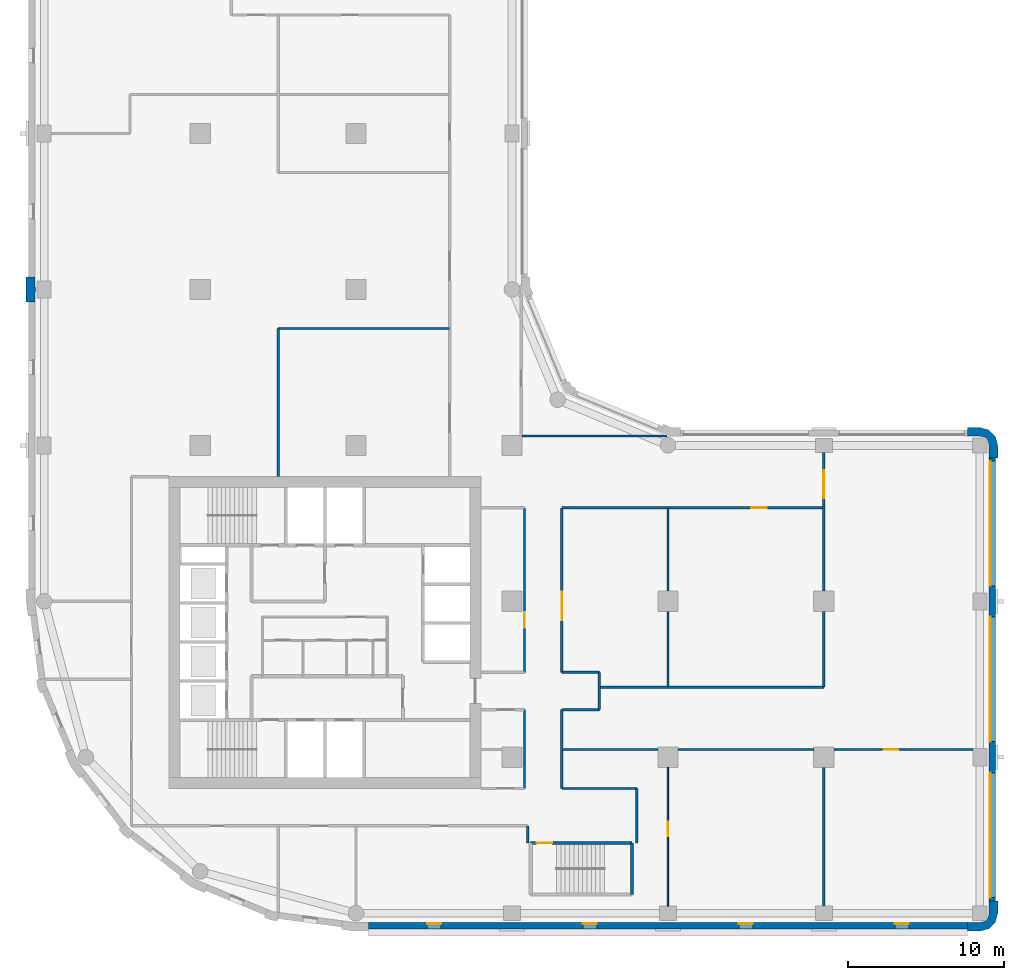
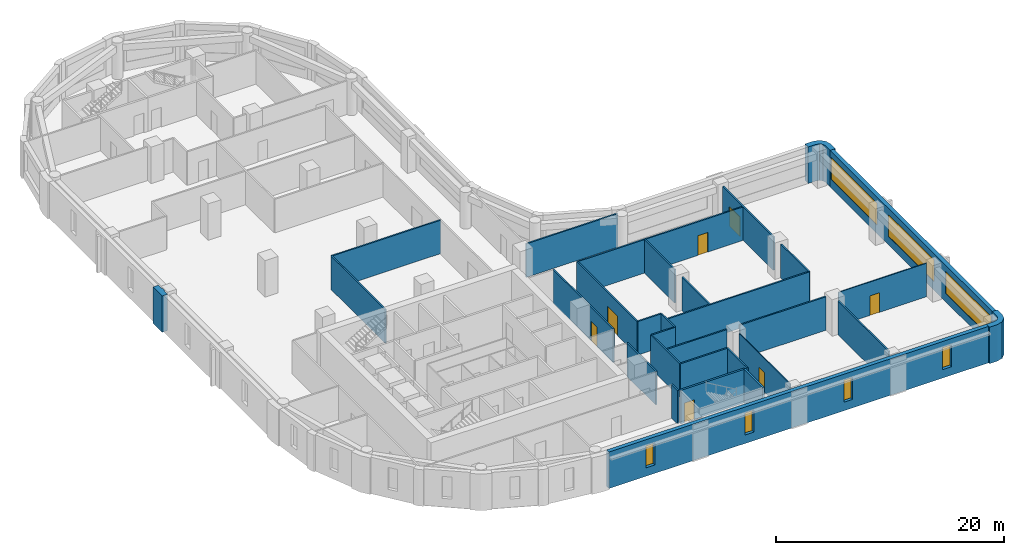
# One storey, part 4 of 9: 31 walls, 7 doors, 7 windows, 14 openings.
"""IFC4 building model written with IfcOpenShell, lengths in metres."""

from ifc_helpers import new_model, si_unit, direction, frame, frame_2d, origin, place, context, subcontext, project, spatial, polyline, rectangle, outline, extrude, material, layer, layer_set, type_object, element, fill, save


model = new_model("IFC4")

# Units and contexts
model_context = context("Model", 3, precision=1e-05, world=origin(), true_north=direction((0.0, 1.0)))
body_context = subcontext(model_context, "Body", "Model", "MODEL_VIEW")
ifc_project = project(units=[si_unit("LENGTHUNIT", "METRE"), si_unit("AREAUNIT", "SQUARE_METRE"), si_unit("VOLUMEUNIT", "CUBIC_METRE"), si_unit("PLANEANGLEUNIT", "RADIAN"), si_unit("MASSUNIT", "GRAM", prefix="KILO")], contexts=[model_context])

# Site, building, storey
site_placement = place(None, origin())
site = spatial("IfcSite", under=ifc_project, at=site_placement, CompositionType="ELEMENT")
building_placement = place(site_placement, origin())
building = spatial("IfcBuilding", under=site, at=building_placement, Name="Qaws Garden Tower", CompositionType="ELEMENT")
storey_placement = place(building_placement, frame((0.0, 0.0, 198.0)))
storey = spatial("IfcBuildingStorey", under=building, at=storey_placement, Name="L48", CompositionType="ELEMENT", Elevation=198.0)

# Walls
ifc_material_1 = material(Name="Clay facing brick masonry", Category="masonry")
ifc_layer_1 = layer(ifc_material_1, 0.550048828125)
ifc_layer_set_1 = layer_set([ifc_layer_1], Name="Clay facing brick masonry")
wall_type_1 = type_object("IfcWallType", Name="Brick corner pier 550 x 2400", PredefinedType="SOLIDWALL", material=ifc_layer_set_1)
placement = place(storey_placement, origin())
element("IfcWall", 1, at=placement, inside=storey, type_object=wall_type_1, Name="E-L48-pier-04", PredefinedType="SOLIDWALL", context=body_context, shape_type="SweptSolid", body=[
    extrude(outline(polyline([(59.199951171875, -1.0), (59.199951171875, -1.14990234375), (60.0, -1.14990234375), (60.574951171875, -0.995849609375), (60.995849609375, -0.574951171875), (61.14990234375, 0.0), (61.14990234375, 0.800048828125), (61.0, 0.800048828125), (60.60009765625, 0.800048828125), (60.60009765625, 0.0), (60.51953125, -0.300048828125), (60.300048828125, -0.51953125), (60.0, -0.60009765625), (59.199951171875, -0.60009765625), (59.199951171875, -1.0)])), origin(), (0.0, 0.0, 1.0), 3.89990234375),
])
element("IfcWall", 2, at=placement, inside=storey, type_object=wall_type_1, Name="E-L48-pier-07", PredefinedType="SOLIDWALL", context=body_context, shape_type="SweptSolid", body=[
    extrude(outline(polyline([(61.0, 29.199951171875), (61.14990234375, 29.199951171875), (61.14990234375, 30.0), (60.995849609375, 30.574951171875), (60.574951171875, 30.995849609375), (60.0, 31.14990234375), (59.199951171875, 31.14990234375), (59.199951171875, 31.0), (59.199951171875, 30.60009765625), (60.0, 30.60009765625), (60.300048828125, 30.51953125), (60.51953125, 30.300048828125), (60.60009765625, 30.0), (60.60009765625, 29.199951171875), (61.0, 29.199951171875)])), origin(), (0.0, 0.0, 1.0), 3.89990234375),
])

# Wall, openings, windows
ifc_material_2 = material(Name="Clay facing brick masonry", Category="masonry")
ifc_layer_2 = layer(ifc_material_2, 0.39990234375)
ifc_layer_set_2 = layer_set([ifc_layer_2], Name="Clay facing brick masonry")
wall_type_2 = type_object("IfcWallType", Name="Brick infill wall 400", PredefinedType="SOLIDWALL", material=ifc_layer_set_2)
wall_3_placement = place(storey_placement, frame((20.800048828125, -0.800048828125, 0.0), z_axis=(0.0, 0.0, 1.0), x_axis=(1.0, 0.0, 0.0)))
wall_3 = element("IfcWall", 3, at=wall_3_placement, inside=storey, type_object=wall_type_2, Name="E-L48-infill-00", PredefinedType="SOLIDWALL", context=body_context, shape_type="SweptSolid", body=[
    extrude(rectangle(XDim=38.39990234375, YDim=0.39990234375, at=frame_2d((19.199951171875, 0.0))), origin(), (0.0, 0.0, 1.0), 3.89990234375),
])
opening_1_placement = place(wall_3_placement, frame((3.75, 0.0, 0.89990234375)))
opening_1 = element("IfcOpeningElement", 4, at=opening_1_placement, cuts=wall_3, Name="Opening W09", PredefinedType="OPENING", context=body_context, shape_type="SweptSolid", body=[
    extrude(rectangle(XDim=0.89990234375, YDim=2.35009765625, at=frame_2d((0.449951171875, 1.175048828125))), frame((0.0, 0.2099609375, 0.0), z_axis=(0.0, -1.0, 0.0), x_axis=(1.0, 0.0, 0.0)), (0.0, 0.0, 1.0), 0.419921875),
])
opening_2_placement = place(wall_3_placement, frame((13.75, 0.0, 0.89990234375)))
opening_2 = element("IfcOpeningElement", 5, at=opening_2_placement, cuts=wall_3, Name="Opening W09", PredefinedType="OPENING", context=body_context, shape_type="SweptSolid", body=[
    extrude(rectangle(XDim=0.89990234375, YDim=2.35009765625, at=frame_2d((0.449951171875, 1.175048828125))), frame((0.0, 0.2099609375, 0.0), z_axis=(0.0, -1.0, 0.0), x_axis=(1.0, 0.0, 0.0)), (0.0, 0.0, 1.0), 0.419921875),
])
opening_3_placement = place(wall_3_placement, frame((23.75, 0.0, 0.89990234375)))
opening_3 = element("IfcOpeningElement", 6, at=opening_3_placement, cuts=wall_3, Name="Opening W09", PredefinedType="OPENING", context=body_context, shape_type="SweptSolid", body=[
    extrude(rectangle(XDim=0.89990234375, YDim=2.35009765625, at=frame_2d((0.449951171875, 1.175048828125))), frame((0.0, 0.2099609375, 0.0), z_axis=(0.0, -1.0, 0.0), x_axis=(1.0, 0.0, 0.0)), (0.0, 0.0, 1.0), 0.419921875),
])
opening_4_placement = place(wall_3_placement, frame((33.75, 0.0, 0.89990234375)))
opening_4 = element("IfcOpeningElement", 7, at=opening_4_placement, cuts=wall_3, Name="Opening W09", PredefinedType="OPENING", context=body_context, shape_type="SweptSolid", body=[
    extrude(rectangle(XDim=0.89990234375, YDim=2.35009765625, at=frame_2d((0.449951171875, 1.175048828125))), frame((0.0, 0.2099609375, 0.0), z_axis=(0.0, -1.0, 0.0), x_axis=(1.0, 0.0, 0.0)), (0.0, 0.0, 1.0), 0.419921875),
])
ifc_material_3 = material(Name="Aluminium framed window, clear glazing", Category="aluminium")
window_type_1 = type_object("IfcWindowType", Name="Slit window 900 x 2350", PartitioningType="SINGLE_PANEL", PredefinedType="WINDOW", material=ifc_material_3)
window_1_placement = place(opening_1_placement, origin())
window_1 = element("IfcWindow", 8, at=window_1_placement, inside=storey, type_object=window_type_1, Name="E-L48-window-00-0", OverallHeight=2.35009765625, OverallWidth=0.89990234375, PartitioningType="SINGLE_PANEL", PredefinedType="WINDOW", context=body_context, shape_type="SweptSolid", body=[
    extrude(rectangle(XDim=0.89990234375, YDim=2.35009765625, at=frame_2d((0.449951171875, 1.175048828125))), frame((0.0, 0.159912109375, 0.0), z_axis=(0.0, -1.0, 0.0), x_axis=(1.0, 0.0, 0.0)), (0.0, 0.0, 1.0), 0.06005859375),
])
fill(opening_1, window_1)
window_2_placement = place(opening_2_placement, origin())
window_2 = element("IfcWindow", 9, at=window_2_placement, inside=storey, type_object=window_type_1, Name="E-L48-window-01-0", OverallHeight=2.35009765625, OverallWidth=0.89990234375, PartitioningType="SINGLE_PANEL", PredefinedType="WINDOW", context=body_context, shape_type="SweptSolid", body=[
    extrude(rectangle(XDim=0.89990234375, YDim=2.35009765625, at=frame_2d((0.449951171875, 1.175048828125))), frame((0.0, 0.159912109375, 0.0), z_axis=(0.0, -1.0, 0.0), x_axis=(1.0, 0.0, 0.0)), (0.0, 0.0, 1.0), 0.06005859375),
])
fill(opening_2, window_2)
window_3_placement = place(opening_3_placement, origin())
window_3 = element("IfcWindow", 10, at=window_3_placement, inside=storey, type_object=window_type_1, Name="E-L48-window-02-0", OverallHeight=2.35009765625, OverallWidth=0.89990234375, PartitioningType="SINGLE_PANEL", PredefinedType="WINDOW", context=body_context, shape_type="SweptSolid", body=[
    extrude(rectangle(XDim=0.89990234375, YDim=2.35009765625, at=frame_2d((0.449951171875, 1.175048828125))), frame((0.0, 0.159912109375, 0.0), z_axis=(0.0, -1.0, 0.0), x_axis=(1.0, 0.0, 0.0)), (0.0, 0.0, 1.0), 0.06005859375),
])
fill(opening_3, window_3)
window_4_placement = place(opening_4_placement, origin())
window_4 = element("IfcWindow", 11, at=window_4_placement, inside=storey, type_object=window_type_1, Name="E-L48-window-03-0", OverallHeight=2.35009765625, OverallWidth=0.89990234375, PartitioningType="SINGLE_PANEL", PredefinedType="WINDOW", context=body_context, shape_type="SweptSolid", body=[
    extrude(rectangle(XDim=0.89990234375, YDim=2.35009765625, at=frame_2d((0.449951171875, 1.175048828125))), frame((0.0, 0.159912109375, 0.0), z_axis=(0.0, -1.0, 0.0), x_axis=(1.0, 0.0, 0.0)), (0.0, 0.0, 1.0), 0.06005859375),
])
fill(opening_4, window_4)

wall_4_placement = place(storey_placement, frame((60.800048828125, 0.800048828125, 0.0), z_axis=(0.0, 0.0, 1.0), x_axis=(0.0, 1.0, 0.0)))
wall_4 = element("IfcWall", 12, at=wall_4_placement, inside=storey, type_object=wall_type_2, Name="E-L48-infill-04", PredefinedType="SOLIDWALL", context=body_context, shape_type="SweptSolid", body=[
    extrude(rectangle(XDim=28.39990234375, YDim=0.39990234375, at=frame_2d((14.199951171875, 0.0))), origin(), (0.0, 0.0, 1.0), 3.89990234375),
])
opening_5_placement = place(wall_4_placement, frame((0.199951171875, 0.0, 0.89990234375)))
opening_5 = element("IfcOpeningElement", 13, at=opening_5_placement, cuts=wall_4, Name="Opening W01", PredefinedType="OPENING", context=body_context, shape_type="SweptSolid", body=[
    extrude(rectangle(XDim=8.0, YDim=2.35009765625, at=frame_2d((4.0, 1.175048828125))), frame((0.0, 0.2099609375, 0.0), z_axis=(0.0, -1.0, 0.0), x_axis=(1.0, 0.0, 0.0)), (0.0, 0.0, 1.0), 0.419921875),
])
opening_6_placement = place(wall_4_placement, frame((10.199951171875, 0.0, 0.89990234375)))
opening_6 = element("IfcOpeningElement", 14, at=opening_6_placement, cuts=wall_4, Name="Opening W01", PredefinedType="OPENING", context=body_context, shape_type="SweptSolid", body=[
    extrude(rectangle(XDim=8.0, YDim=2.35009765625, at=frame_2d((4.0, 1.175048828125))), frame((0.0, 0.2099609375, 0.0), z_axis=(0.0, -1.0, 0.0), x_axis=(1.0, 0.0, 0.0)), (0.0, 0.0, 1.0), 0.419921875),
])
opening_7_placement = place(wall_4_placement, frame((20.199951171875, 0.0, 0.89990234375)))
opening_7 = element("IfcOpeningElement", 15, at=opening_7_placement, cuts=wall_4, Name="Opening W01", PredefinedType="OPENING", context=body_context, shape_type="SweptSolid", body=[
    extrude(rectangle(XDim=8.0, YDim=2.35009765625, at=frame_2d((4.0, 1.175048828125))), frame((0.0, 0.2099609375, 0.0), z_axis=(0.0, -1.0, 0.0), x_axis=(1.0, 0.0, 0.0)), (0.0, 0.0, 1.0), 0.419921875),
])
ifc_material_4 = material(Name="Aluminium framed window, clear glazing", Category="aluminium")
window_type_2 = type_object("IfcWindowType", Name="Ribbon window 8000 x 2350", PartitioningType="DOUBLE_PANEL_VERTICAL", PredefinedType="WINDOW", material=ifc_material_4)
window_5_placement = place(opening_5_placement, origin())
window_5 = element("IfcWindow", 16, at=window_5_placement, inside=storey, type_object=window_type_2, Name="E-L48-window-04-0", OverallHeight=2.35009765625, OverallWidth=8.0, PartitioningType="SINGLE_PANEL", PredefinedType="WINDOW", context=body_context, shape_type="SweptSolid", body=[
    extrude(rectangle(XDim=8.0, YDim=2.35009765625, at=frame_2d((4.0, 1.175048828125))), frame((0.0, 0.159912109375, 0.0), z_axis=(0.0, -1.0, 0.0), x_axis=(1.0, 0.0, 0.0)), (0.0, 0.0, 1.0), 0.06005859375),
])
fill(opening_5, window_5)
window_6_placement = place(opening_6_placement, origin())
window_6 = element("IfcWindow", 17, at=window_6_placement, inside=storey, type_object=window_type_2, Name="E-L48-window-05-0", OverallHeight=2.35009765625, OverallWidth=8.0, PartitioningType="SINGLE_PANEL", PredefinedType="WINDOW", context=body_context, shape_type="SweptSolid", body=[
    extrude(rectangle(XDim=8.0, YDim=2.35009765625, at=frame_2d((4.0, 1.175048828125))), frame((0.0, 0.159912109375, 0.0), z_axis=(0.0, -1.0, 0.0), x_axis=(1.0, 0.0, 0.0)), (0.0, 0.0, 1.0), 0.06005859375),
])
fill(opening_6, window_6)
window_7_placement = place(opening_7_placement, origin())
window_7 = element("IfcWindow", 18, at=window_7_placement, inside=storey, type_object=window_type_2, Name="E-L48-window-06-0", OverallHeight=2.35009765625, OverallWidth=8.0, PartitioningType="SINGLE_PANEL", PredefinedType="WINDOW", context=body_context, shape_type="SweptSolid", body=[
    extrude(rectangle(XDim=8.0, YDim=2.35009765625, at=frame_2d((4.0, 1.175048828125))), frame((0.0, 0.159912109375, 0.0), z_axis=(0.0, -1.0, 0.0), x_axis=(1.0, 0.0, 0.0)), (0.0, 0.0, 1.0), 0.06005859375),
])
fill(opening_7, window_7)

# Wall
ifc_material_5 = material(Name="Clay facing brick masonry", Category="masonry")
ifc_layer_3 = layer(ifc_material_5, 0.550048828125)
ifc_layer_set_3 = layer_set([ifc_layer_3], Name="Clay facing brick masonry")
wall_type_3 = type_object("IfcWallType", Name="Brick pier 550 x 1600", PredefinedType="SOLIDWALL", material=ifc_layer_set_3)
element("IfcWall", 19, at=placement, inside=storey, type_object=wall_type_3, Name="E-L48-pier-23", PredefinedType="SOLIDWALL", context=body_context, shape_type="SweptSolid", body=[
    extrude(outline(polyline([(-0.60009765625, 39.199951171875), (-0.60009765625, 39.85009765625), (-0.550048828125, 39.85009765625), (-0.550048828125, 40.14990234375), (-0.60009765625, 40.14990234375), (-0.60009765625, 40.800048828125), (-1.0, 40.800048828125), (-1.14990234375, 40.800048828125), (-1.14990234375, 40.0), (-1.14990234375, 39.199951171875), (-1.0, 39.199951171875), (-0.60009765625, 39.199951171875)])), origin(), (0.0, 0.0, 1.0), 3.89990234375),
])

# Wall, opening, door
ifc_material_6 = material(Name="Concrete C70", Category="concrete")
ifc_layer_4 = layer(ifc_material_6, 0.199951171875)
ifc_layer_set_4 = layer_set([ifc_layer_4], Name="Concrete C70")
wall_type_4 = type_object("IfcWallType", Name="Core shaft wall 200 C70", PredefinedType="SHEAR", material=ifc_layer_set_4)
wall_6_placement = place(storey_placement, frame((31.199951171875, 4.5, 0.0), z_axis=(0.0, 0.0, 1.0), x_axis=(1.0, 0.0, 0.0)))
wall_6 = element("IfcWall", 20, at=wall_6_placement, inside=storey, type_object=wall_type_4, Name="Shaft wall", PredefinedType="SHEAR", context=body_context, shape_type="SweptSolid", body=[
    extrude(rectangle(XDim=6.5, YDim=0.199951171875, at=frame_2d((3.25, 0.0))), origin(), (0.0, 0.0, 1.0), 3.580078125),
])
opening_8_placement = place(wall_6_placement, frame((0.375, 0.0, 0.0)))
opening_8 = element("IfcOpeningElement", 21, at=opening_8_placement, cuts=wall_6, Name="Opening SD12", PredefinedType="OPENING", context=body_context, shape_type="SweptSolid", body=[
    extrude(rectangle(XDim=1.0, YDim=2.10009765625, at=frame_2d((0.5, 1.050048828125))), frame((0.0, 0.10986328125, 0.0), z_axis=(0.0, -1.0, 0.0), x_axis=(1.0, 0.0, 0.0)), (0.0, 0.0, 1.0), 0.219970703125),
])
ifc_material_7 = material(Name="Steel S235", Category="steel")
door_type_1 = type_object("IfcDoorType", Name="Stair door 1000x2100", OperationType="SINGLE_SWING_RIGHT", PredefinedType="DOOR", material=ifc_material_7)
door_1_placement = place(opening_8_placement, frame((1.0, 0.0, 0.0), z_axis=(0.0, 0.0, 1.0), x_axis=(-1.0, 0.0, 0.0)))
door_1 = element("IfcDoor", 22, at=door_1_placement, inside=storey, type_object=door_type_1, Name="Stair 5 door", OperationType="SINGLE_SWING_RIGHT", OverallHeight=2.10009765625, OverallWidth=1.0, PredefinedType="DOOR", context=body_context, shape_type="SweptSolid", body=[
    extrude(rectangle(XDim=1.0, YDim=2.10009765625, at=frame_2d((0.5, 1.050048828125))), frame((0.0, 0.02490234375, 0.0), z_axis=(0.0, -1.0, 0.0), x_axis=(1.0, 0.0, 0.0)), (0.0, 0.0, 1.0), 0.050048828125),
])
fill(opening_8, door_1)

# Wall
wall_7_placement = place(storey_placement, frame((37.699951171875, 1.199951171875, 0.0), z_axis=(0.0, 0.0, 1.0), x_axis=(0.0, 1.0, 0.0)))
element("IfcWall", 23, at=wall_7_placement, inside=storey, type_object=wall_type_4, Name="Shaft wall", PredefinedType="SHEAR", context=body_context, shape_type="SweptSolid", body=[
    extrude(rectangle(XDim=3.300048828125, YDim=0.199951171875, at=frame_2d((1.64990234375, 0.0))), origin(), (0.0, 0.0, 1.0), 3.580078125),
])

# Wall, opening, door
ifc_material_8 = material(Name="Gypsum board partition")
ifc_layer_5 = layer(ifc_material_8, 0.10009765625)
ifc_layer_set_5 = layer_set([ifc_layer_5], Name="Gypsum board partition")
wall_type_5 = type_object("IfcWallType", Name="PARTITION 100", PredefinedType="PARTITIONING", material=ifc_layer_set_5)
wall_8_placement = place(storey_placement, frame((40.0, 0.449951171875, 0.0), z_axis=(0.0, 0.0, 1.0), x_axis=(0.0, 1.0, 0.0)))
wall_8 = element("IfcWall", 24, at=wall_8_placement, inside=storey, type_object=wall_type_5, Name="O-L48-wall-001", PredefinedType="PARTITIONING", context=body_context, shape_type="SweptSolid", body=[
    extrude(rectangle(XDim=8.900146484375, YDim=0.10009765625, at=frame_2d((4.4501953125, 0.0))), origin(), (0.0, 0.0, 1.0), 3.580078125),
])
opening_9_placement = place(wall_8_placement, frame((4.47509765625, 0.0, 0.0)))
opening_9 = element("IfcOpeningElement", 25, at=opening_9_placement, cuts=wall_8, Name="Opening B621", PredefinedType="OPENING", context=body_context, shape_type="SweptSolid", body=[
    extrude(rectangle(XDim=0.949951171875, YDim=2.10009765625, at=frame_2d((0.47509765625, 1.050048828125))), frame((0.0, 0.06005859375, 0.0), z_axis=(0.0, -1.0, 0.0), x_axis=(1.0, 0.0, 0.0)), (0.0, 0.0, 1.0), 0.1201171875),
])
ifc_material_9 = material(Name="Timber and glass door leaf", Category="wood")
door_type_2 = type_object("IfcDoorType", Name="GLAZED DOOR 950 X 2100", OperationType="SINGLE_SWING_LEFT", PredefinedType="DOOR", material=ifc_material_9)
door_2_placement = place(opening_9_placement, frame((0.949951171875, 0.0, 0.0), z_axis=(0.0, 0.0, 1.0), x_axis=(-1.0, 0.0, 0.0)))
door_2 = element("IfcDoor", 26, at=door_2_placement, inside=storey, type_object=door_type_2, Name="O-L48-door-021", OperationType="SINGLE_SWING_LEFT", OverallHeight=2.10009765625, OverallWidth=0.949951171875, PredefinedType="DOOR", context=body_context, shape_type="SweptSolid", body=[
    extrude(rectangle(XDim=0.949951171875, YDim=2.10009765625, at=frame_2d((0.47509765625, 1.050048828125))), frame((0.0, 0.02490234375, 0.0), z_axis=(0.0, -1.0, 0.0), x_axis=(1.0, 0.0, 0.0)), (0.0, 0.0, 1.0), 0.050048828125),
])
fill(opening_9, door_2)

wall_9_placement = place(storey_placement, frame((50.64990234375, 10.5, 0.0), z_axis=(0.0, 0.0, 1.0), x_axis=(1.0, 0.0, 0.0)))
wall_9 = element("IfcWall", 27, at=wall_9_placement, inside=storey, type_object=wall_type_5, Name="O-L48-wall-002", PredefinedType="PARTITIONING", context=body_context, shape_type="SweptSolid", body=[
    extrude(rectangle(XDim=8.900146484375, YDim=0.10009765625, at=frame_2d((4.4501953125, 0.0))), origin(), (0.0, 0.0, 1.0), 3.580078125),
])
opening_10_placement = place(wall_9_placement, frame((3.175048828125, 0.0, 0.0)))
opening_10 = element("IfcOpeningElement", 28, at=opening_10_placement, cuts=wall_9, Name="Opening B622", PredefinedType="OPENING", context=body_context, shape_type="SweptSolid", body=[
    extrude(rectangle(XDim=0.949951171875, YDim=2.10009765625, at=frame_2d((0.47509765625, 1.050048828125))), frame((0.0, 0.06005859375, 0.0), z_axis=(0.0, -1.0, 0.0), x_axis=(1.0, 0.0, 0.0)), (0.0, 0.0, 1.0), 0.1201171875),
])
door_3_placement = place(opening_10_placement, frame((0.949951171875, 0.0, 0.0), z_axis=(0.0, 0.0, 1.0), x_axis=(-1.0, 0.0, 0.0)))
door_3 = element("IfcDoor", 29, at=door_3_placement, inside=storey, type_object=door_type_2, Name="O-L48-door-022", OperationType="SINGLE_SWING_RIGHT", OverallHeight=2.10009765625, OverallWidth=0.949951171875, PredefinedType="DOOR", context=body_context, shape_type="SweptSolid", body=[
    extrude(rectangle(XDim=0.949951171875, YDim=2.10009765625, at=frame_2d((0.47509765625, 1.050048828125))), frame((0.0, 0.02490234375, 0.0), z_axis=(0.0, -1.0, 0.0), x_axis=(1.0, 0.0, 0.0)), (0.0, 0.0, 1.0), 0.050048828125),
])
fill(opening_10, door_3)

# Walls
ifc_material_10 = material(Name="Gypsum board partition")
ifc_layer_6 = layer(ifc_material_10, 0.14990234375)
ifc_layer_set_6 = layer_set([ifc_layer_6], Name="Gypsum board partition")
wall_type_6 = type_object("IfcWallType", Name="PARTITION 150 EI 60", PredefinedType="PARTITIONING", material=ifc_layer_set_6)
wall_10_placement = place(storey_placement, frame((15.0, 28.0, 0.0), z_axis=(0.0, 0.0, 1.0), x_axis=(0.0, 1.0, 0.0)))
element("IfcWall", 30, at=wall_10_placement, inside=storey, type_object=wall_type_6, Name="O-L48-wall-008", PredefinedType="PARTITIONING", context=body_context, shape_type="SweptSolid", body=[
    extrude(rectangle(XDim=9.5, YDim=0.14990234375, at=frame_2d((4.75, 0.0))), origin(), (0.0, 0.0, 1.0), 3.580078125),
])
wall_11_placement = place(storey_placement, frame((30.800048828125, 8.0, 0.0), z_axis=(0.0, 0.0, 1.0), x_axis=(0.0, 1.0, 0.0)))
element("IfcWall", 31, at=wall_11_placement, inside=storey, type_object=wall_type_6, Name="O-L48-wall-015", PredefinedType="PARTITIONING", context=body_context, shape_type="SweptSolid", body=[
    extrude(rectangle(XDim=5.050048828125, YDim=0.14990234375, at=frame_2d((2.52490234375, 0.0))), origin(), (0.0, 0.0, 1.0), 3.580078125),
])

# Wall, opening, door
wall_12_placement = place(storey_placement, frame((30.800048828125, 15.449951171875, 0.0), z_axis=(0.0, 0.0, 1.0), x_axis=(0.0, 1.0, 0.0)))
wall_12 = element("IfcWall", 32, at=wall_12_placement, inside=storey, type_object=wall_type_6, Name="O-L48-wall-016", PredefinedType="PARTITIONING", context=body_context, shape_type="SweptSolid", body=[
    extrude(rectangle(XDim=10.550048828125, YDim=0.14990234375, at=frame_2d((5.27490234375, 0.0))), origin(), (0.0, 0.0, 1.0), 3.580078125),
])
opening_11_placement = place(wall_12_placement, frame((2.85009765625, 0.0, 0.0)))
opening_11 = element("IfcOpeningElement", 33, at=opening_11_placement, cuts=wall_12, Name="Opening B616", PredefinedType="OPENING", context=body_context, shape_type="SweptSolid", body=[
    extrude(rectangle(XDim=1.0, YDim=2.10009765625, at=frame_2d((0.5, 1.050048828125))), frame((0.0, 0.0849609375, 0.0), z_axis=(0.0, -1.0, 0.0), x_axis=(1.0, 0.0, 0.0)), (0.0, 0.0, 1.0), 0.169921875),
])
ifc_material_11 = material(Name="Timber door leaf", Category="wood")
door_type_3 = type_object("IfcDoorType", Name="TENANCY ENTRANCE DOOR 1000 X 2100", OperationType="SINGLE_SWING_LEFT", PredefinedType="DOOR", material=ifc_material_11)
door_4_placement = place(opening_11_placement, origin())
door_4 = element("IfcDoor", 34, at=door_4_placement, inside=storey, type_object=door_type_3, Name="O-L48-door-016", OperationType="SINGLE_SWING_RIGHT", OverallHeight=2.10009765625, OverallWidth=1.0, PredefinedType="DOOR", context=body_context, shape_type="SweptSolid", body=[
    extrude(rectangle(XDim=1.0, YDim=2.10009765625, at=frame_2d((0.5, 1.050048828125))), frame((0.0, 0.02490234375, 0.0), z_axis=(0.0, -1.0, 0.0), x_axis=(1.0, 0.0, 0.0)), (0.0, 0.0, 1.0), 0.050048828125),
])
fill(opening_11, door_4)

# Walls
wall_13_placement = place(storey_placement, frame((31.0, 4.5, 0.0), z_axis=(0.0, 0.0, 1.0), x_axis=(0.0, 1.0, 0.0)))
element("IfcWall", 35, at=wall_13_placement, inside=storey, type_object=wall_type_6, Name="O-L48-wall-017", PredefinedType="PARTITIONING", context=body_context, shape_type="SweptSolid", body=[
    extrude(rectangle(XDim=1.10009765625, YDim=0.14990234375, at=frame_2d((0.550048828125, 0.0))), origin(), (0.0, 0.0, 1.0), 3.580078125),
])
wall_14_placement = place(storey_placement, frame((33.199951171875, 8.0, 0.0), z_axis=(0.0, 0.0, 1.0), x_axis=(0.0, 1.0, 0.0)))
element("IfcWall", 36, at=wall_14_placement, inside=storey, type_object=wall_type_6, Name="O-L48-wall-018", PredefinedType="PARTITIONING", context=body_context, shape_type="SweptSolid", body=[
    extrude(rectangle(XDim=5.050048828125, YDim=0.14990234375, at=frame_2d((2.52490234375, 0.0))), origin(), (0.0, 0.0, 1.0), 3.580078125),
])

# Wall, opening, door
wall_15_placement = place(storey_placement, frame((33.199951171875, 15.449951171875, 0.0), z_axis=(0.0, 0.0, 1.0), x_axis=(0.0, 1.0, 0.0)))
wall_15 = element("IfcWall", 37, at=wall_15_placement, inside=storey, type_object=wall_type_6, Name="O-L48-wall-019", PredefinedType="PARTITIONING", context=body_context, shape_type="SweptSolid", body=[
    extrude(rectangle(XDim=10.550048828125, YDim=0.14990234375, at=frame_2d((5.27490234375, 0.0))), origin(), (0.0, 0.0, 1.0), 3.580078125),
])
opening_12_placement = place(wall_15_placement, frame((3.35009765625, 0.0, 0.0)))
opening_12 = element("IfcOpeningElement", 38, at=opening_12_placement, cuts=wall_15, Name="Opening B615", PredefinedType="OPENING", context=body_context, shape_type="SweptSolid", body=[
    extrude(rectangle(XDim=1.800048828125, YDim=2.10009765625, at=frame_2d((0.89990234375, 1.050048828125))), frame((0.0, 0.0849609375, 0.0), z_axis=(0.0, -1.0, 0.0), x_axis=(1.0, 0.0, 0.0)), (0.0, 0.0, 1.0), 0.169921875),
])
ifc_material_12 = material(Name="Timber door leaf", Category="wood")
door_type_4 = type_object("IfcDoorType", Name="DOUBLE DOOR 1800 X 2100", OperationType="DOUBLE_DOOR_SINGLE_SWING", PredefinedType="DOOR", material=ifc_material_12)
door_5_placement = place(opening_12_placement, frame((1.800048828125, 0.0, 0.0), z_axis=(0.0, 0.0, 1.0), x_axis=(-1.0, 0.0, 0.0)))
door_5 = element("IfcDoor", 39, at=door_5_placement, inside=storey, type_object=door_type_4, Name="O-L48-door-015", OperationType="DOUBLE_DOOR_SINGLE_SWING", OverallHeight=2.10009765625, OverallWidth=1.800048828125, PredefinedType="DOOR", context=body_context, shape_type="SweptSolid", body=[
    extrude(rectangle(XDim=1.800048828125, YDim=2.10009765625, at=frame_2d((0.89990234375, 1.050048828125))), frame((0.0, 0.02490234375, 0.0), z_axis=(0.0, -1.0, 0.0), x_axis=(1.0, 0.0, 0.0)), (0.0, 0.0, 1.0), 0.050048828125),
])
fill(opening_12, door_5)

# Walls
wall_16_placement = place(storey_placement, frame((35.60009765625, 13.050048828125, 0.0), z_axis=(0.0, 0.0, 1.0), x_axis=(0.0, 1.0, 0.0)))
element("IfcWall", 40, at=wall_16_placement, inside=storey, type_object=wall_type_6, Name="O-L48-wall-020", PredefinedType="PARTITIONING", context=body_context, shape_type="SweptSolid", body=[
    extrude(rectangle(XDim=2.39990234375, YDim=0.14990234375, at=frame_2d((1.199951171875, 0.0))), origin(), (0.0, 0.0, 1.0), 3.580078125),
])
wall_17_placement = place(storey_placement, frame((38.0, 4.5, 0.0), z_axis=(0.0, 0.0, 1.0), x_axis=(0.0, 1.0, 0.0)))
element("IfcWall", 41, at=wall_17_placement, inside=storey, type_object=wall_type_6, Name="O-L48-wall-021", PredefinedType="PARTITIONING", context=body_context, shape_type="SweptSolid", body=[
    extrude(rectangle(XDim=3.5, YDim=0.14990234375, at=frame_2d((1.75, 0.0))), origin(), (0.0, 0.0, 1.0), 3.580078125),
])
wall_18_placement = place(storey_placement, frame((40.0, 14.5, 0.0), z_axis=(0.0, 0.0, 1.0), x_axis=(0.0, 1.0, 0.0)))
element("IfcWall", 42, at=wall_18_placement, inside=storey, type_object=wall_type_6, Name="O-L48-wall-022", PredefinedType="PARTITIONING", context=body_context, shape_type="SweptSolid", body=[
    extrude(rectangle(XDim=4.85009765625, YDim=0.14990234375, at=frame_2d((2.425048828125, 0.0))), origin(), (0.0, 0.0, 1.0), 3.580078125),
])
wall_19_placement = place(storey_placement, frame((40.0, 20.64990234375, 0.0), z_axis=(0.0, 0.0, 1.0), x_axis=(0.0, 1.0, 0.0)))
element("IfcWall", 43, at=wall_19_placement, inside=storey, type_object=wall_type_6, Name="O-L48-wall-023", PredefinedType="PARTITIONING", context=body_context, shape_type="SweptSolid", body=[
    extrude(rectangle(XDim=5.35009765625, YDim=0.14990234375, at=frame_2d((2.675048828125, 0.0))), origin(), (0.0, 0.0, 1.0), 3.580078125),
])
wall_20_placement = place(storey_placement, frame((50.0, 0.449951171875, 0.0), z_axis=(0.0, 0.0, 1.0), x_axis=(0.0, 1.0, 0.0)))
element("IfcWall", 44, at=wall_20_placement, inside=storey, type_object=wall_type_6, Name="O-L48-wall-024", PredefinedType="PARTITIONING", context=body_context, shape_type="SweptSolid", body=[
    extrude(rectangle(XDim=8.900146484375, YDim=0.14990234375, at=frame_2d((4.4501953125, 0.0))), origin(), (0.0, 0.0, 1.0), 3.580078125),
])
wall_21_placement = place(storey_placement, frame((50.0, 14.5, 0.0), z_axis=(0.0, 0.0, 1.0), x_axis=(0.0, 1.0, 0.0)))
element("IfcWall", 45, at=wall_21_placement, inside=storey, type_object=wall_type_6, Name="O-L48-wall-025", PredefinedType="PARTITIONING", context=body_context, shape_type="SweptSolid", body=[
    extrude(rectangle(XDim=4.85009765625, YDim=0.14990234375, at=frame_2d((2.425048828125, 0.0))), origin(), (0.0, 0.0, 1.0), 3.580078125),
])

# Wall, opening, door
wall_22_placement = place(storey_placement, frame((50.0, 20.64990234375, 0.0), z_axis=(0.0, 0.0, 1.0), x_axis=(0.0, 1.0, 0.0)))
wall_22 = element("IfcWall", 46, at=wall_22_placement, inside=storey, type_object=wall_type_6, Name="O-L48-wall-026", PredefinedType="PARTITIONING", context=body_context, shape_type="SweptSolid", body=[
    extrude(rectangle(XDim=8.900146484375, YDim=0.14990234375, at=frame_2d((4.4501953125, 0.0))), origin(), (0.0, 0.0, 1.0), 3.580078125),
])
opening_13_placement = place(wall_22_placement, frame((5.949951171875, 0.0, 0.0)))
opening_13 = element("IfcOpeningElement", 47, at=opening_13_placement, cuts=wall_22, Name="Opening B618", PredefinedType="OPENING", context=body_context, shape_type="SweptSolid", body=[
    extrude(rectangle(XDim=1.800048828125, YDim=2.10009765625, at=frame_2d((0.89990234375, 1.050048828125))), frame((0.0, 0.0849609375, 0.0), z_axis=(0.0, -1.0, 0.0), x_axis=(1.0, 0.0, 0.0)), (0.0, 0.0, 1.0), 0.169921875),
])
door_6_placement = place(opening_13_placement, frame((1.800048828125, 0.0, 0.0), z_axis=(0.0, 0.0, 1.0), x_axis=(-1.0, 0.0, 0.0)))
door_6 = element("IfcDoor", 48, at=door_6_placement, inside=storey, type_object=door_type_4, Name="O-L48-door-018", OperationType="DOUBLE_DOOR_SINGLE_SWING", OverallHeight=2.10009765625, OverallWidth=1.800048828125, PredefinedType="DOOR", context=body_context, shape_type="SweptSolid", body=[
    extrude(rectangle(XDim=1.800048828125, YDim=2.10009765625, at=frame_2d((0.89990234375, 1.050048828125))), frame((0.0, 0.02490234375, 0.0), z_axis=(0.0, -1.0, 0.0), x_axis=(1.0, 0.0, 0.0)), (0.0, 0.0, 1.0), 0.050048828125),
])
fill(opening_13, door_6)

# Walls
wall_23_placement = place(storey_placement, frame((33.199951171875, 8.0, 0.0), z_axis=(0.0, 0.0, 1.0), x_axis=(1.0, 0.0, 0.0)))
element("IfcWall", 49, at=wall_23_placement, inside=storey, type_object=wall_type_6, Name="O-L48-wall-029", PredefinedType="PARTITIONING", context=body_context, shape_type="SweptSolid", body=[
    extrude(rectangle(XDim=4.800048828125, YDim=0.14990234375, at=frame_2d((2.39990234375, 0.0))), origin(), (0.0, 0.0, 1.0), 3.580078125),
])
wall_24_placement = place(storey_placement, frame((33.199951171875, 10.5, 0.0), z_axis=(0.0, 0.0, 1.0), x_axis=(1.0, 0.0, 0.0)))
element("IfcWall", 50, at=wall_24_placement, inside=storey, type_object=wall_type_6, Name="O-L48-wall-031", PredefinedType="PARTITIONING", context=body_context, shape_type="SweptSolid", body=[
    extrude(rectangle(XDim=6.150146484375, YDim=0.14990234375, at=frame_2d((3.0751953125, 0.0))), origin(), (0.0, 0.0, 1.0), 3.580078125),
])
wall_25_placement = place(storey_placement, frame((40.64990234375, 10.5, 0.0), z_axis=(0.0, 0.0, 1.0), x_axis=(1.0, 0.0, 0.0)))
element("IfcWall", 51, at=wall_25_placement, inside=storey, type_object=wall_type_6, Name="O-L48-wall-032", PredefinedType="PARTITIONING", context=body_context, shape_type="SweptSolid", body=[
    extrude(rectangle(XDim=8.7001953125, YDim=0.14990234375, at=frame_2d((4.35009765625, 0.0))), origin(), (0.0, 0.0, 1.0), 3.580078125),
])
wall_26_placement = place(storey_placement, frame((33.199951171875, 13.050048828125, 0.0), z_axis=(0.0, 0.0, 1.0), x_axis=(1.0, 0.0, 0.0)))
element("IfcWall", 52, at=wall_26_placement, inside=storey, type_object=wall_type_6, Name="O-L48-wall-034", PredefinedType="PARTITIONING", context=body_context, shape_type="SweptSolid", body=[
    extrude(rectangle(XDim=2.400146484375, YDim=0.14990234375, at=frame_2d((1.2001953125, 0.0))), origin(), (0.0, 0.0, 1.0), 3.580078125),
])
wall_27_placement = place(storey_placement, frame((35.60009765625, 14.5, 0.0), z_axis=(0.0, 0.0, 1.0), x_axis=(1.0, 0.0, 0.0)))
element("IfcWall", 53, at=wall_27_placement, inside=storey, type_object=wall_type_6, Name="O-L48-wall-035", PredefinedType="PARTITIONING", context=body_context, shape_type="SweptSolid", body=[
    extrude(rectangle(XDim=14.39990234375, YDim=0.14990234375, at=frame_2d((7.199951171875, 0.0))), origin(), (0.0, 0.0, 1.0), 3.580078125),
])
wall_28_placement = place(storey_placement, frame((33.199951171875, 15.449951171875, 0.0), z_axis=(0.0, 0.0, 1.0), x_axis=(1.0, 0.0, 0.0)))
element("IfcWall", 54, at=wall_28_placement, inside=storey, type_object=wall_type_6, Name="O-L48-wall-038", PredefinedType="PARTITIONING", context=body_context, shape_type="SweptSolid", body=[
    extrude(rectangle(XDim=2.400146484375, YDim=0.14990234375, at=frame_2d((1.2001953125, 0.0))), origin(), (0.0, 0.0, 1.0), 3.580078125),
])

# Wall, opening, door
wall_29_placement = place(storey_placement, frame((33.199951171875, 26.0, 0.0), z_axis=(0.0, 0.0, 1.0), x_axis=(1.0, 0.0, 0.0)))
wall_29 = element("IfcWall", 55, at=wall_29_placement, inside=storey, type_object=wall_type_6, Name="O-L48-wall-041", PredefinedType="PARTITIONING", context=body_context, shape_type="SweptSolid", body=[
    extrude(rectangle(XDim=16.800048828125, YDim=0.14990234375, at=frame_2d((8.39990234375, 0.0))), origin(), (0.0, 0.0, 1.0), 3.580078125),
])
opening_14_placement = place(wall_29_placement, frame((12.14990234375, 0.0, 0.0)))
opening_14 = element("IfcOpeningElement", 56, at=opening_14_placement, cuts=wall_29, Name="Opening B617", PredefinedType="OPENING", context=body_context, shape_type="SweptSolid", body=[
    extrude(rectangle(XDim=1.0, YDim=2.10009765625, at=frame_2d((0.5, 1.050048828125))), frame((0.0, 0.0849609375, 0.0), z_axis=(0.0, -1.0, 0.0), x_axis=(1.0, 0.0, 0.0)), (0.0, 0.0, 1.0), 0.169921875),
])
door_7_placement = place(opening_14_placement, frame((1.0, 0.0, 0.0), z_axis=(0.0, 0.0, 1.0), x_axis=(-1.0, 0.0, 0.0)))
door_7 = element("IfcDoor", 57, at=door_7_placement, inside=storey, type_object=door_type_3, Name="O-L48-door-017", OperationType="SINGLE_SWING_RIGHT", OverallHeight=2.10009765625, OverallWidth=1.0, PredefinedType="DOOR", context=body_context, shape_type="SweptSolid", body=[
    extrude(rectangle(XDim=1.0, YDim=2.10009765625, at=frame_2d((0.5, 1.050048828125))), frame((0.0, 0.02490234375, 0.0), z_axis=(0.0, -1.0, 0.0), x_axis=(1.0, 0.0, 0.0)), (0.0, 0.0, 1.0), 0.050048828125),
])
fill(opening_14, door_7)

# Walls
wall_30_placement = place(storey_placement, frame((30.64990234375, 30.60009765625, 0.0), z_axis=(0.0, 0.0, 1.0), x_axis=(1.0, 0.0, 0.0)))
element("IfcWall", 58, at=wall_30_placement, inside=storey, type_object=wall_type_6, Name="O-L48-wall-043", PredefinedType="PARTITIONING", context=body_context, shape_type="SweptSolid", body=[
    extrude(rectangle(XDim=9.288330078125, YDim=0.14990234375, at=frame_2d((4.64404296875, 0.0))), origin(), (0.0, 0.0, 1.0), 3.580078125),
])
wall_31_placement = place(storey_placement, frame((15.0, 37.5, 0.0), z_axis=(0.0, 0.0, 1.0), x_axis=(1.0, 0.0, 0.0)))
element("IfcWall", 59, at=wall_31_placement, inside=storey, type_object=wall_type_6, Name="O-L48-wall-044", PredefinedType="PARTITIONING", context=body_context, shape_type="SweptSolid", body=[
    extrude(rectangle(XDim=11.0, YDim=0.14990234375, at=frame_2d((5.5, 0.0))), origin(), (0.0, 0.0, 1.0), 3.580078125),
])

save(model, "model.ifc")
